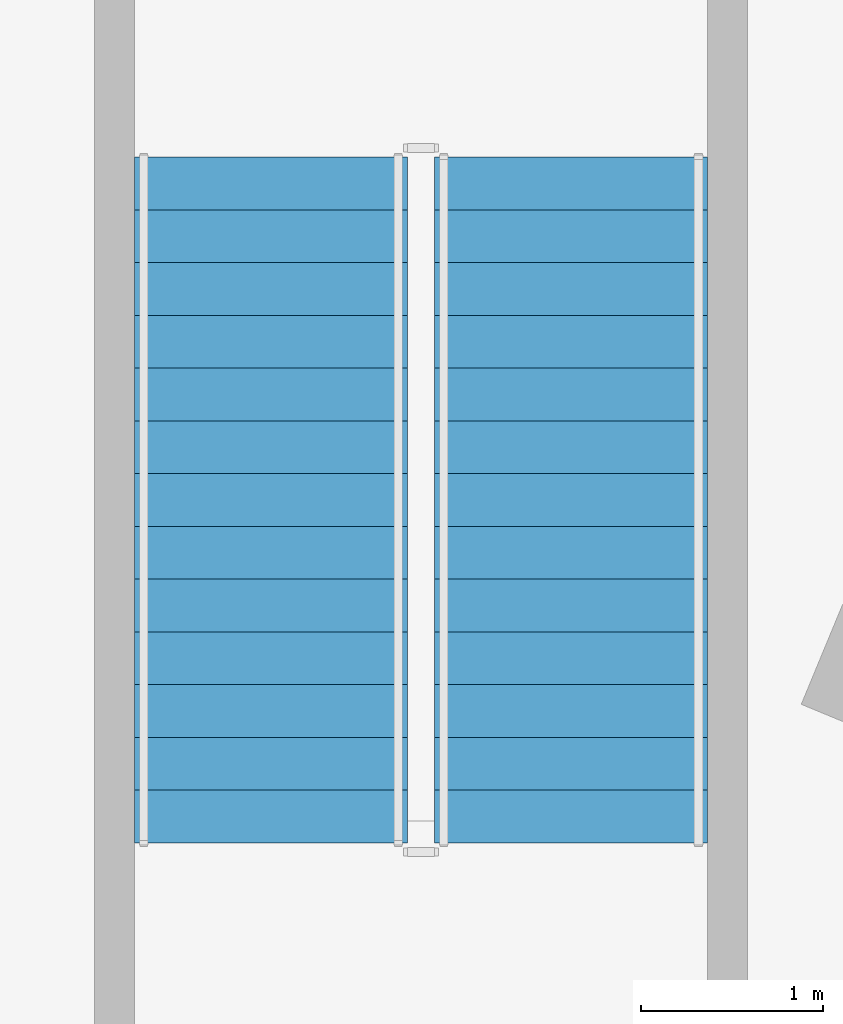
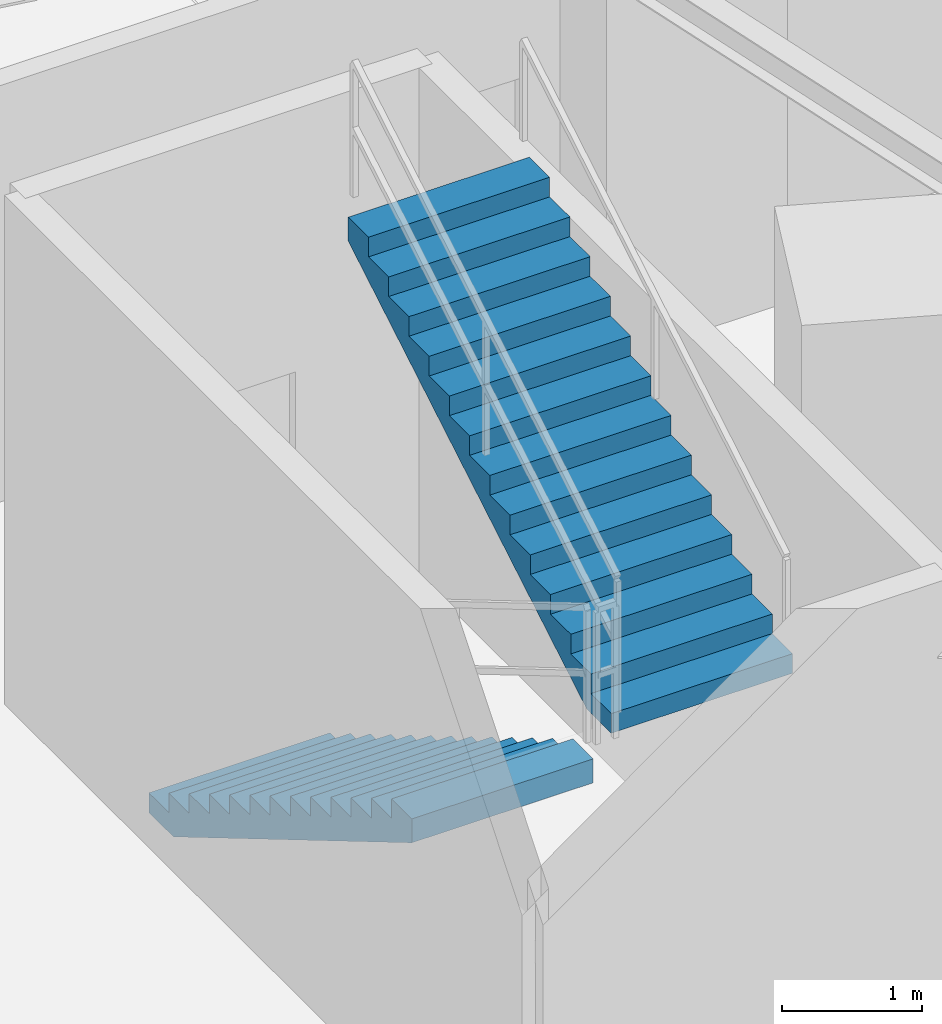
# One storey, part 7 of 9: 2 stair flights, 1 element without a shape of its own.
"""IFC4 building model written with IfcOpenShell, lengths in metres."""

from ifc_helpers import new_model, si_unit, direction, frame, origin, place, context, subcontext, project, spatial, polyline, outline, extrude, material, type_object, element, aggregate, save


model = new_model("IFC4")

# Units and contexts
model_context = context("Model", 3, precision=1e-05, world=origin(), true_north=direction((0.0, 1.0)))
body_context = subcontext(model_context, "Body", "Model", "MODEL_VIEW")
ifc_project = project(units=[si_unit("LENGTHUNIT", "METRE"), si_unit("AREAUNIT", "SQUARE_METRE"), si_unit("VOLUMEUNIT", "CUBIC_METRE"), si_unit("PLANEANGLEUNIT", "RADIAN"), si_unit("MASSUNIT", "GRAM", prefix="KILO")], contexts=[model_context])

# Site, building, storey
site_placement = place(None, origin())
site = spatial("IfcSite", under=ifc_project, at=site_placement, CompositionType="ELEMENT")
building_placement = place(site_placement, origin())
building = spatial("IfcBuilding", under=site, at=building_placement, Name="Vorneva Point Tower", CompositionType="ELEMENT")
storey_placement = place(building_placement, frame((0.0, 0.0, -9.60009765625)))
storey = spatial("IfcBuildingStorey", under=building, at=storey_placement, Name="B02", CompositionType="ELEMENT", Elevation=-9.60009765625)

# Stair, stair flights
ifc_material = material(Name="Concrete B50 (C40/50)", Category="concrete")
stair_type = type_object("IfcStairType", Name="ST-DOG-1500", PredefinedType="HALF_TURN_STAIR", material=ifc_material)
stair_placement = place(storey_placement, origin())
stair = element("IfcStair", 1, at=stair_placement, inside=storey, type_object=stair_type, Name="B02 ST4", PredefinedType="HALF_TURN_STAIR")
stair_flight_type = type_object("IfcStairFlightType", Name="STF-1500", PredefinedType="STRAIGHT", material=ifc_material)
stair_flight_1_placement = place(storey_placement, frame((55.39990234375, 22.02001953125, 0.0), z_axis=(0.0, 0.0, 1.0), x_axis=(0.0, -1.0, 0.0)))
stair_flight_1 = element("IfcStairFlight", 2, at=stair_flight_1_placement, type_object=stair_flight_type, Name="ST4 flight 1", NumberOfRisers=14, NumberOfTreads=13, PredefinedType="STRAIGHT", RiserHeight=0.171428571, TreadLength=0.29, context=body_context, shape_type="SweptSolid", body=[
    extrude(outline(polyline([(0.0, 0.0), (0.0, 0.17138671875), (0.2900390625, 0.17138671875), (0.2900390625, 0.3427734375), (0.580078125, 0.3427734375), (0.580078125, 0.514404296875), (0.8701171875, 0.514404296875), (0.8701171875, 0.685791015625), (1.159912109375, 0.685791015625), (1.159912109375, 0.857177734375), (1.449951171875, 0.857177734375), (1.449951171875, 1.028564453125), (1.739990234375, 1.028564453125), (1.739990234375, 1.199951171875), (2.030029296875, 1.199951171875), (2.030029296875, 1.371337890625), (2.320068359375, 1.371337890625), (2.320068359375, 1.54296875), (2.610107421875, 1.54296875), (2.610107421875, 1.71435546875), (2.89990234375, 1.71435546875), (2.89990234375, 1.8857421875), (3.18994140625, 1.8857421875), (3.18994140625, 2.05712890625), (3.47998046875, 2.05712890625), (3.47998046875, 2.228515625), (3.77001953125, 2.228515625), (3.77001953125, 2.39990234375), (3.77001953125, 2.01953125), (0.353515625, 0.0), (0.0, 0.0)])), frame((0.0, 0.75, 0.0), z_axis=(0.0, -1.0, 0.0), x_axis=(1.0, 0.0, 0.0)), (0.0, 0.0, 1.0), 1.5),
])
stair_flight_2_placement = place(storey_placement, frame((57.050048828125, 18.25, 2.400146484375), z_axis=(0.0, 0.0, 1.0), x_axis=(0.0, 1.0, 0.0)))
stair_flight_2 = element("IfcStairFlight", 3, at=stair_flight_2_placement, type_object=stair_flight_type, Name="ST4 flight 2", NumberOfRisers=14, NumberOfTreads=13, PredefinedType="STRAIGHT", RiserHeight=0.171428571, TreadLength=0.29, context=body_context, shape_type="SweptSolid", body=[
    extrude(outline(polyline([(0.0, 0.0), (0.0, 0.17138671875), (0.2900390625, 0.17138671875), (0.2900390625, 0.3427734375), (0.580078125, 0.3427734375), (0.580078125, 0.514404296875), (0.8701171875, 0.514404296875), (0.8701171875, 0.685791015625), (1.159912109375, 0.685791015625), (1.159912109375, 0.857177734375), (1.449951171875, 0.857177734375), (1.449951171875, 1.028564453125), (1.739990234375, 1.028564453125), (1.739990234375, 1.199951171875), (2.030029296875, 1.199951171875), (2.030029296875, 1.371337890625), (2.320068359375, 1.371337890625), (2.320068359375, 1.54296875), (2.610107421875, 1.54296875), (2.610107421875, 1.71435546875), (2.89990234375, 1.71435546875), (2.89990234375, 1.8857421875), (3.18994140625, 1.8857421875), (3.18994140625, 2.05712890625), (3.47998046875, 2.05712890625), (3.47998046875, 2.228515625), (3.77001953125, 2.228515625), (3.77001953125, 2.39990234375), (3.77001953125, 2.01953125), (0.353515625, 0.0), (0.0, 0.0)])), frame((0.0, 0.75, 0.0), z_axis=(0.0, -1.0, 0.0), x_axis=(1.0, 0.0, 0.0)), (0.0, 0.0, 1.0), 1.5),
])
aggregate(stair, [stair_flight_1, stair_flight_2])

save(model, "model.ifc")
